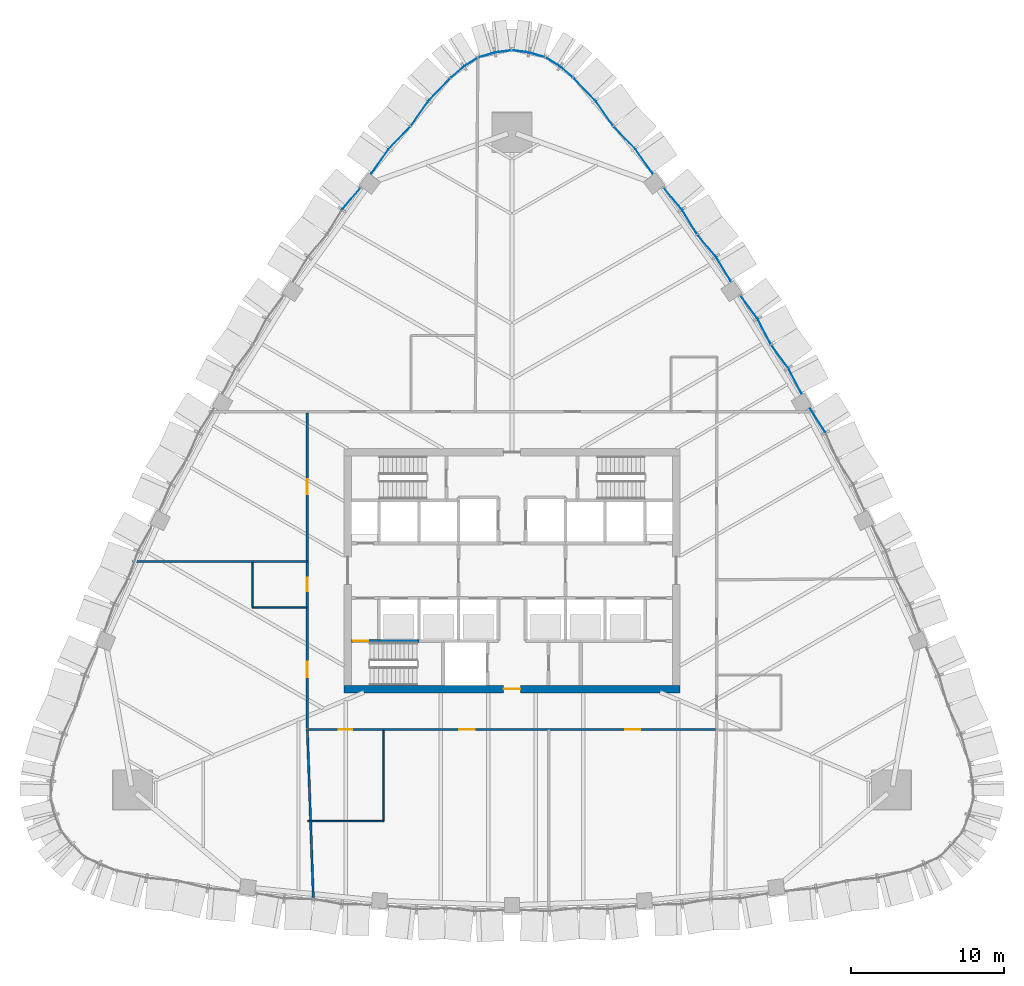
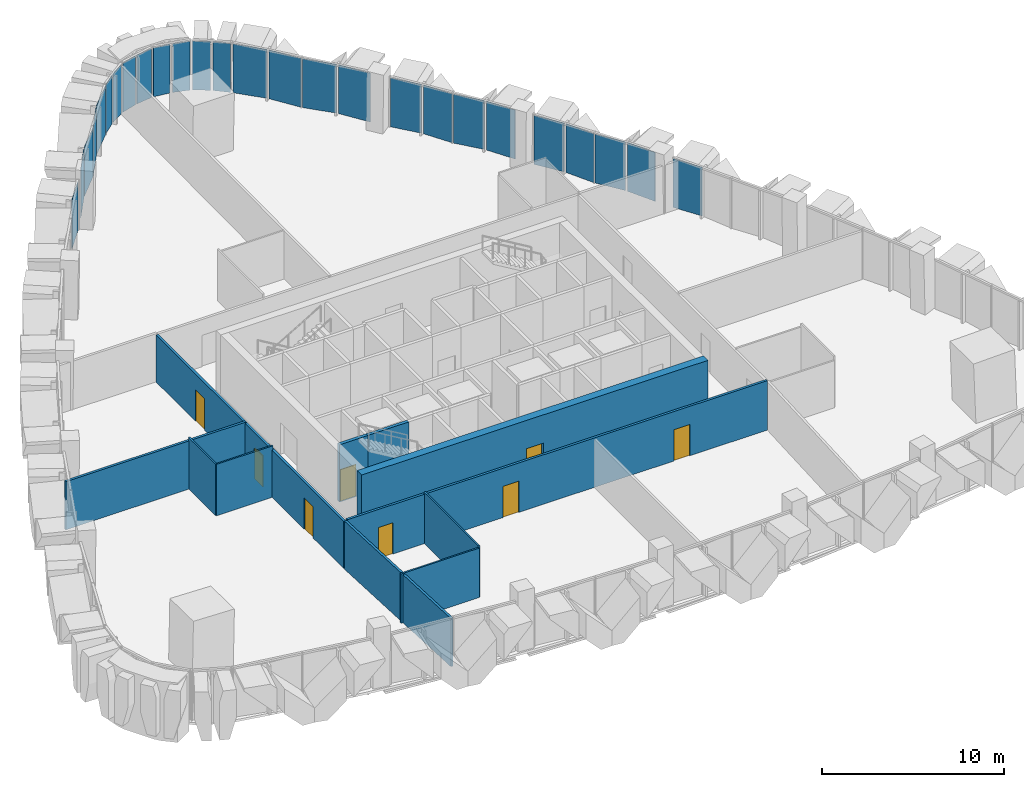
# One storey, part 11 of 18: 26 plates, 11 walls, 8 doors, 8 openings, 10 elements without a shape of their own.
"""IFC4 building model written with IfcOpenShell, lengths in metres."""

from ifc_helpers import new_model, si_unit, direction, frame, frame_2d, origin, place, context, subcontext, project, spatial, polyline, rectangle, outline, extrude, material, layer, layer_set, type_object, element, fill, aggregate, save


model = new_model("IFC4")

# Units and contexts
model_context = context("Model", 3, precision=1e-05, world=origin(), true_north=direction((0.0, 1.0)))
body_context = subcontext(model_context, "Body", "Model", "MODEL_VIEW")
ifc_project = project(units=[si_unit("LENGTHUNIT", "METRE"), si_unit("AREAUNIT", "SQUARE_METRE"), si_unit("VOLUMEUNIT", "CUBIC_METRE"), si_unit("PLANEANGLEUNIT", "RADIAN"), si_unit("MASSUNIT", "GRAM", prefix="KILO")], contexts=[model_context])

# Site, building, storey
site_placement = place(None, origin())
site = spatial("IfcSite", under=ifc_project, at=site_placement, CompositionType="ELEMENT")
building_placement = place(site_placement, origin())
building = spatial("IfcBuilding", under=site, at=building_placement, Name="Sierra Prisma Convention Tower", CompositionType="ELEMENT")
storey_placement = place(building_placement, frame((0.0, 0.0, 133.800048828125)))
storey = spatial("IfcBuildingStorey", under=building, at=storey_placement, Name="L28", CompositionType="ELEMENT", Elevation=133.800048828125)

# Curtain wall, plate
ifc_material_1 = material(Name="Aluminium and glass curtain wall", Category="aluminium")
ifc_layer_1 = layer(ifc_material_1, 0.179931640625)
ifc_layer_set_1 = layer_set([ifc_layer_1], Name="CW-2 Faceted crystal curtain wall")
curtain_wall_type = type_object("IfcCurtainWallType", Name="CW-2 Faceted crystal curtain wall", PredefinedType="NOTDEFINED", material=ifc_layer_set_1)
curtain_wall_1_placement = place(storey_placement, origin())
curtain_wall_1 = element("IfcCurtainWall", 1, at=curtain_wall_1_placement, inside=storey, type_object=curtain_wall_type, Name="CW-2 NE3 L28", PredefinedType="NOTDEFINED")
ifc_material_2 = material(Name="Tinted glass bronze-grey IGU", Category="glass")
ifc_layer_2 = layer(ifc_material_2, 0.028076171875)
ifc_layer_set_2 = layer_set([ifc_layer_2], Name="CW-2 crystal pane")
plate_type = type_object("IfcPlateType", Name="CW-2 crystal pane", PredefinedType="CURTAIN_PANEL", material=ifc_layer_set_2)
plate_1_placement = place(storey_placement, frame((19.532470703125, 10.619140625, 0.0), z_axis=(0.84261640637, 0.538514244673, 0.0), x_axis=(0.538514244673, -0.84261640637, 0.0)))
plate_1 = element("IfcPlate", 2, at=plate_1_placement, type_object=plate_type, Name="CW-2 pane NE3.2.2", PredefinedType="CURTAIN_PANEL", context=body_context, shape_type="SweptSolid", body=[
    extrude(outline(polyline([(0.0, 0.0), (1.8111717684787345, 0.0), (1.8111717684787345, -3.280029296875), (0.0, -3.280029296875), (0.0, 0.0)])), origin(), (0.0, 0.0, -1.0), 0.028076171875),
])
aggregate(curtain_wall_1, [plate_1])

# Curtain wall, plates
curtain_wall_2_placement = place(storey_placement, origin())
curtain_wall_2 = element("IfcCurtainWall", 3, at=curtain_wall_2_placement, inside=storey, type_object=curtain_wall_type, Name="CW-2 NE4 L28", PredefinedType="NOTDEFINED")
plate_2_placement = place(storey_placement, frame((18.962646484375, 11.60595703125, 0.0), z_axis=(0.887697404698, 0.460427320749, 0.0), x_axis=(-0.460427320749, 0.887697404698, 0.0)))
plate_2 = element("IfcPlate", 4, at=plate_2_placement, type_object=plate_type, Name="CW-2 pane NE4.1.1", PredefinedType="CURTAIN_PANEL", context=body_context, shape_type="SweptSolid", body=[
    extrude(outline(polyline([(0.0, 0.0), (1.8113268640187614, 0.0), (1.8113268640187614, 3.280029296875), (0.0, 3.280029296875), (0.0, 0.0)])), origin(), (0.0, 0.0, -1.0), 0.028076171875),
])
plate_3_placement = place(storey_placement, frame((16.984619140625, 14.781494140625, 0.0), z_axis=(0.804666069924, 0.593727644559, 0.0), x_axis=(0.593727644559, -0.804666069924, 0.0)))
plate_3 = element("IfcPlate", 5, at=plate_3_placement, type_object=plate_type, Name="CW-2 pane NE4.1.2", PredefinedType="CURTAIN_PANEL", context=body_context, shape_type="SweptSolid", body=[
    extrude(outline(polyline([(0.0, 0.0), (1.8113346464176683, 0.0), (1.8113346464176683, -3.280029296875), (0.0, -3.280029296875), (0.0, 0.0)])), origin(), (0.0, 0.0, -1.0), 0.028076171875),
])
plate_4_placement = place(storey_placement, frame((16.94775390625, 14.8408203125, 0.0), z_axis=(0.88764231221, 0.460533522748, 0.0), x_axis=(-0.460533522748, 0.88764231221, 0.0)))
plate_4 = element("IfcPlate", 6, at=plate_4_placement, type_object=plate_type, Name="CW-2 pane NE4.2.1", PredefinedType="CURTAIN_PANEL", context=body_context, shape_type="SweptSolid", body=[
    extrude(outline(polyline([(0.0, 0.0), (1.8114392859971296, 0.0), (1.8114392859971296, 3.280029296875001), (0.0, 3.280029296875001), (0.0, 0.0)])), origin(), (0.0, 0.0, -1.0), 0.028076171875),
])
plate_5_placement = place(storey_placement, frame((14.9697265625, 18.016357421875, 0.0), z_axis=(0.804666069924, 0.593727644559, 0.0), x_axis=(0.593727644559, -0.804666069924, 0.0)))
plate_5 = element("IfcPlate", 7, at=plate_5_placement, type_object=plate_type, Name="CW-2 pane NE4.2.2", PredefinedType="CURTAIN_PANEL", context=body_context, shape_type="SweptSolid", body=[
    extrude(outline(polyline([(0.0, 0.0), (1.8113346464176683, 0.0), (1.8113346464176683, -3.280029296875), (0.0, -3.280029296875), (0.0, 0.0)])), origin(), (0.0, 0.0, -1.0), 0.028076171875),
])
aggregate(curtain_wall_2, [plate_2, plate_3, plate_4, plate_5])

curtain_wall_3_placement = place(storey_placement, origin())
curtain_wall_3 = element("IfcCurtainWall", 8, at=curtain_wall_3_placement, inside=storey, type_object=curtain_wall_type, Name="CW-2 NE5 L28", PredefinedType="NOTDEFINED")
plate_6_placement = place(storey_placement, frame((14.32861328125, 18.973388671875, 0.0), z_axis=(0.854853994097, 0.518868623812, 0.0), x_axis=(-0.518868623812, 0.854853994097, 0.0)))
plate_6 = element("IfcPlate", 9, at=plate_6_placement, type_object=plate_type, Name="CW-2 pane NE5.1.1", PredefinedType="CURTAIN_PANEL", context=body_context, shape_type="SweptSolid", body=[
    extrude(outline(polyline([(0.0, 0.0), (1.8035220722151823, 0.0), (1.8035220722151823, 3.280029296874999), (0.0, 3.280029296874999), (0.0, 0.0)])), origin(), (0.0, 0.0, -1.0), 0.028076171875),
])
plate_7_placement = place(storey_placement, frame((12.151611328125, 21.996826171875, 0.0), z_axis=(0.763160327317, 0.646209188119, 0.0), x_axis=(0.646209188119, -0.763160327317, 0.0)))
plate_7 = element("IfcPlate", 10, at=plate_7_placement, type_object=plate_type, Name="CW-2 pane NE5.1.2", PredefinedType="CURTAIN_PANEL", context=body_context, shape_type="SweptSolid", body=[
    extrude(outline(polyline([(0.0, 0.0), (1.8036378392317685, 0.0), (1.8036378392317685, -3.280029296875), (0.0, -3.280029296875), (0.0, 0.0)])), origin(), (0.0, 0.0, -1.0), 0.028076171875),
])
plate_8_placement = place(storey_placement, frame((12.11083984375, 22.0537109375, 0.0), z_axis=(0.85483039845, 0.518907496463, 0.0), x_axis=(-0.518907496463, 0.85483039845, 0.0)))
plate_8 = element("IfcPlate", 11, at=plate_8_placement, type_object=plate_type, Name="CW-2 pane NE5.2.1", PredefinedType="CURTAIN_PANEL", context=body_context, shape_type="SweptSolid", body=[
    extrude(outline(polyline([(0.0, 0.0), (1.8038574555787377, 0.0), (1.8038574555787377, 3.280029296875001), (0.0, 3.280029296875001), (0.0, 0.0)])), origin(), (0.0, 0.0, -1.0), 0.028076171875),
])
plate_9_placement = place(storey_placement, frame((9.93359375, 25.077392578125, 0.0), z_axis=(0.763160327317, 0.646209188119, 0.0), x_axis=(0.646209188119, -0.763160327317, 0.0)))
plate_9 = element("IfcPlate", 12, at=plate_9_placement, type_object=plate_type, Name="CW-2 pane NE5.2.2", PredefinedType="CURTAIN_PANEL", context=body_context, shape_type="SweptSolid", body=[
    extrude(outline(polyline([(0.0, 0.0), (1.8036378392317685, 0.0), (1.8036378392317685, -3.280029296875), (0.0, -3.280029296875), (0.0, 0.0)])), origin(), (0.0, 0.0, -1.0), 0.028076171875),
])
aggregate(curtain_wall_3, [plate_6, plate_7, plate_8, plate_9])

curtain_wall_4_placement = place(storey_placement, origin())
curtain_wall_4 = element("IfcCurtainWall", 13, at=curtain_wall_4_placement, inside=storey, type_object=curtain_wall_type, Name="CW-2 NE6 L28", PredefinedType="NOTDEFINED")
plate_10_placement = place(storey_placement, frame((9.212158203125, 26.01416015625, 0.0), z_axis=(0.818207698145, 0.574922744981, 0.0), x_axis=(-0.574922744981, 0.818207698145, 0.0)))
plate_10 = element("IfcPlate", 14, at=plate_10_placement, type_object=plate_type, Name="CW-2 pane NE6.1.1", PredefinedType="CURTAIN_PANEL", context=body_context, shape_type="SweptSolid", body=[
    extrude(outline(polyline([(0.0, 0.0), (1.93979866814281, 0.0), (1.93979866814281, 3.280029296875), (0.0, 3.280029296875), (0.0, 0.0)])), origin(), (0.0, 0.0, -1.0), 0.028076171875),
])
plate_11_placement = place(storey_placement, frame((6.66455078125, 29.094482421875, 0.0), z_axis=(0.718218603092, 0.69581753224, 0.0), x_axis=(0.69581753224, -0.718218603092, 0.0)))
plate_11 = element("IfcPlate", 15, at=plate_11_placement, type_object=plate_type, Name="CW-2 pane NE6.1.2", PredefinedType="CURTAIN_PANEL", context=body_context, shape_type="SweptSolid", body=[
    extrude(outline(polyline([(0.0, 0.0), (1.9399532967776012, 0.0), (1.9399532967776012, -3.280029296875), (0.0, -3.280029296875), (0.0, 0.0)])), origin(), (0.0, 0.0, -1.0), 0.028076171875),
])
plate_12_placement = place(storey_placement, frame((6.619873046875, 29.1484375, 0.0), z_axis=(0.818249292586, 0.574863544837, 0.0), x_axis=(-0.574863544837, 0.818249292586, 0.0)))
plate_12 = element("IfcPlate", 16, at=plate_12_placement, type_object=plate_type, Name="CW-2 pane NE6.2.1", PredefinedType="CURTAIN_PANEL", context=body_context, shape_type="SweptSolid", body=[
    extrude(outline(polyline([(0.0, 0.0), (1.9399984309593226, 0.0), (1.9399984309593226, 3.280029296875), (0.0, 3.280029296875), (0.0, 0.0)])), origin(), (0.0, 0.0, -1.0), 0.028076171875),
])
plate_13_placement = place(storey_placement, frame((4.072265625, 32.22900390625, 0.0), z_axis=(0.718218603092, 0.69581753224, 0.0), x_axis=(0.69581753224, -0.718218603092, 0.0)))
plate_13 = element("IfcPlate", 17, at=plate_13_placement, type_object=plate_type, Name="CW-2 pane NE6.2.2", PredefinedType="CURTAIN_PANEL", context=body_context, shape_type="SweptSolid", body=[
    extrude(outline(polyline([(0.0, 0.0), (1.9399532967776012, 0.0), (1.9399532967776012, -3.280029296875), (0.0, -3.280029296875), (0.0, 0.0)])), origin(), (0.0, 0.0, -1.0), 0.028076171875),
])
aggregate(curtain_wall_4, [plate_10, plate_11, plate_12, plate_13])

curtain_wall_5_placement = place(storey_placement, origin())
curtain_wall_5 = element("IfcCurtainWall", 18, at=curtain_wall_5_placement, inside=storey, type_object=curtain_wall_type, Name="CW-2 N1 L28", PredefinedType="NOTDEFINED")
plate_14_placement = place(storey_placement, frame((3.97119140625, 32.324462890625, 0.0), z_axis=(0.65437136263, 0.756173339764, 0.0), x_axis=(-0.756173339764, 0.65437136263, 0.0)))
plate_14 = element("IfcPlate", 19, at=plate_14_placement, type_object=plate_type, Name="CW-2 pane N1.1.1", PredefinedType="CURTAIN_PANEL", context=body_context, shape_type="SweptSolid", body=[
    extrude(outline(polyline([(0.0, 0.0), (0.9976476180525409, 0.0), (0.9976476180525409, 3.280029296875), (0.0, 3.280029296875), (0.0, 0.0)])), origin(), (0.0, 0.0, -1.0), 0.028076171875),
])
plate_15_placement = place(storey_placement, frame((2.264892578125, 33.580810546875, 0.0), z_axis=(0.527996124926, 0.849246779248, 0.0), x_axis=(0.849246779248, -0.527996124926, 0.0)))
plate_15 = element("IfcPlate", 20, at=plate_15_placement, type_object=plate_type, Name="CW-2 pane N1.1.2", PredefinedType="CURTAIN_PANEL", context=body_context, shape_type="SweptSolid", body=[
    extrude(outline(polyline([(0.0, 0.0), (0.9978396504785573, 0.0), (0.9978396504785573, -3.280029296875), (0.0, -3.280029296875), (0.0, 0.0)])), origin(), (0.0, 0.0, -1.0), 0.028076171875),
])
aggregate(curtain_wall_5, [plate_14, plate_15])

curtain_wall_6_placement = place(storey_placement, origin())
curtain_wall_6 = element("IfcCurtainWall", 21, at=curtain_wall_6_placement, inside=storey, type_object=curtain_wall_type, Name="CW-2 N2 L28", PredefinedType="NOTDEFINED")
plate_16_placement = place(storey_placement, frame((2.14013671875, 33.636962890625, 0.0), z_axis=(0.286045586344, 0.958216010372, 0.0), x_axis=(-0.958216010372, 0.286045586344, 0.0)))
plate_16 = element("IfcPlate", 22, at=plate_16_placement, type_object=plate_type, Name="CW-2 pane N2.1.1", PredefinedType="CURTAIN_PANEL", context=body_context, shape_type="SweptSolid", body=[
    extrude(outline(polyline([(0.0, 0.0), (0.9977444304327765, 0.0), (0.9977444304327765, 3.280029296875), (0.0, 3.280029296875), (0.0, 0.0)])), origin(), (0.0, 0.0, -1.0), 0.028076171875),
])
plate_17_placement = place(storey_placement, frame((0.068359375, 34.08203125, 0.0), z_axis=(0.132612450721, 0.991167966549, 0.0), x_axis=(0.991167966549, -0.132612450721, 0.0)))
plate_17 = element("IfcPlate", 23, at=plate_17_placement, type_object=plate_type, Name="CW-2 pane N2.1.2", PredefinedType="CURTAIN_PANEL", context=body_context, shape_type="SweptSolid", body=[
    extrude(outline(polyline([(0.0, 0.0), (0.9978265089801273, 0.0), (0.9978265089801273, -3.280029296875), (0.0, -3.280029296875), (0.0, 0.0)])), origin(), (0.0, 0.0, -1.0), 0.028076171875),
])
aggregate(curtain_wall_6, [plate_16, plate_17])

curtain_wall_7_placement = place(storey_placement, origin())
curtain_wall_7 = element("IfcCurtainWall", 24, at=curtain_wall_7_placement, inside=storey, type_object=curtain_wall_type, Name="CW-2 N3 L28", PredefinedType="NOTDEFINED")
plate_18_placement = place(storey_placement, frame((-0.068359375, 34.08203125, 0.0), z_axis=(-0.132612450721, 0.991167966549, 0.0), x_axis=(-0.991167966549, -0.132612450721, 0.0)))
plate_18 = element("IfcPlate", 25, at=plate_18_placement, type_object=plate_type, Name="CW-2 pane N3.1.1", PredefinedType="CURTAIN_PANEL", context=body_context, shape_type="SweptSolid", body=[
    extrude(outline(polyline([(0.0, 0.0), (0.9978265089801273, 0.0), (0.9978265089801273, 3.280029296875), (0.0, 3.280029296875), (0.0, 0.0)])), origin(), (0.0, 0.0, -1.0), 0.028076171875),
])
plate_19_placement = place(storey_placement, frame((-2.14013671875, 33.636962890625, 0.0), z_axis=(-0.286045586344, 0.958216010372, 0.0), x_axis=(0.958216010372, 0.286045586344, 0.0)))
plate_19 = element("IfcPlate", 26, at=plate_19_placement, type_object=plate_type, Name="CW-2 pane N3.1.2", PredefinedType="CURTAIN_PANEL", context=body_context, shape_type="SweptSolid", body=[
    extrude(outline(polyline([(0.0, 0.0), (0.9977444304327765, 0.0), (0.9977444304327765, -3.280029296875), (0.0, -3.280029296875), (0.0, 0.0)])), origin(), (0.0, 0.0, -1.0), 0.028076171875),
])
aggregate(curtain_wall_7, [plate_18, plate_19])

curtain_wall_8_placement = place(storey_placement, origin())
curtain_wall_8 = element("IfcCurtainWall", 27, at=curtain_wall_8_placement, inside=storey, type_object=curtain_wall_type, Name="CW-2 N4 L28", PredefinedType="NOTDEFINED")
plate_20_placement = place(storey_placement, frame((-2.264892578125, 33.580810546875, 0.0), z_axis=(-0.527996124926, 0.849246779248, 0.0), x_axis=(-0.849246779248, -0.527996124926, 0.0)))
plate_20 = element("IfcPlate", 28, at=plate_20_placement, type_object=plate_type, Name="CW-2 pane N4.1.1", PredefinedType="CURTAIN_PANEL", context=body_context, shape_type="SweptSolid", body=[
    extrude(outline(polyline([(0.0, 0.0), (0.9978396504785573, 0.0), (0.9978396504785573, 3.280029296875), (0.0, 3.280029296875), (0.0, 0.0)])), origin(), (0.0, 0.0, -1.0), 0.028076171875),
])
plate_21_placement = place(storey_placement, frame((-3.97119140625, 32.324462890625, 0.0), z_axis=(-0.65437136263, 0.756173339764, 0.0), x_axis=(0.756173339764, 0.65437136263, 0.0)))
plate_21 = element("IfcPlate", 29, at=plate_21_placement, type_object=plate_type, Name="CW-2 pane N4.1.2", PredefinedType="CURTAIN_PANEL", context=body_context, shape_type="SweptSolid", body=[
    extrude(outline(polyline([(0.0, 0.0), (0.9976476180525409, 0.0), (0.9976476180525409, -3.280029296875), (0.0, -3.280029296875), (0.0, 0.0)])), origin(), (0.0, 0.0, -1.0), 0.028076171875),
])
aggregate(curtain_wall_8, [plate_20, plate_21])

curtain_wall_9_placement = place(storey_placement, origin())
curtain_wall_9 = element("IfcCurtainWall", 30, at=curtain_wall_9_placement, inside=storey, type_object=curtain_wall_type, Name="CW-2 NW1 L28", PredefinedType="NOTDEFINED")
plate_22_placement = place(storey_placement, frame((-4.072265625, 32.22900390625, 0.0), z_axis=(-0.718218603092, 0.69581753224, 0.0), x_axis=(-0.69581753224, -0.718218603092, 0.0)))
plate_22 = element("IfcPlate", 31, at=plate_22_placement, type_object=plate_type, Name="CW-2 pane NW1.1.1", PredefinedType="CURTAIN_PANEL", context=body_context, shape_type="SweptSolid", body=[
    extrude(outline(polyline([(0.0, 0.0), (1.9399532967776012, 0.0), (1.9399532967776012, 3.280029296875), (0.0, 3.280029296875), (0.0, 0.0)])), origin(), (0.0, 0.0, -1.0), 0.028076171875),
])
plate_23_placement = place(storey_placement, frame((-6.619873046875, 29.1484375, 0.0), z_axis=(-0.818249292586, 0.574863544837, 0.0), x_axis=(0.574863544837, 0.818249292586, 0.0)))
plate_23 = element("IfcPlate", 32, at=plate_23_placement, type_object=plate_type, Name="CW-2 pane NW1.1.2", PredefinedType="CURTAIN_PANEL", context=body_context, shape_type="SweptSolid", body=[
    extrude(outline(polyline([(0.0, 0.0), (1.9399984309593226, 0.0), (1.9399984309593226, -3.280029296875), (0.0, -3.280029296875), (0.0, 0.0)])), origin(), (0.0, 0.0, -1.0), 0.028076171875),
])
plate_24_placement = place(storey_placement, frame((-6.66455078125, 29.094482421875, 0.0), z_axis=(-0.718218603092, 0.69581753224, 0.0), x_axis=(-0.69581753224, -0.718218603092, 0.0)))
plate_24 = element("IfcPlate", 33, at=plate_24_placement, type_object=plate_type, Name="CW-2 pane NW1.2.1", PredefinedType="CURTAIN_PANEL", context=body_context, shape_type="SweptSolid", body=[
    extrude(outline(polyline([(0.0, 0.0), (1.9399532967776012, 0.0), (1.9399532967776012, 3.280029296875), (0.0, 3.280029296875), (0.0, 0.0)])), origin(), (0.0, 0.0, -1.0), 0.028076171875),
])
plate_25_placement = place(storey_placement, frame((-9.212158203125, 26.01416015625, 0.0), z_axis=(-0.818207698145, 0.574922744981, 0.0), x_axis=(0.574922744981, 0.818207698145, 0.0)))
plate_25 = element("IfcPlate", 34, at=plate_25_placement, type_object=plate_type, Name="CW-2 pane NW1.2.2", PredefinedType="CURTAIN_PANEL", context=body_context, shape_type="SweptSolid", body=[
    extrude(outline(polyline([(0.0, 0.0), (1.93979866814281, 0.0), (1.93979866814281, -3.280029296875), (0.0, -3.280029296875), (0.0, 0.0)])), origin(), (0.0, 0.0, -1.0), 0.028076171875),
])
aggregate(curtain_wall_9, [plate_22, plate_23, plate_24, plate_25])

# Curtain wall, plate
curtain_wall_10_placement = place(storey_placement, origin())
curtain_wall_10 = element("IfcCurtainWall", 35, at=curtain_wall_10_placement, inside=storey, type_object=curtain_wall_type, Name="CW-2 NW2 L28", PredefinedType="NOTDEFINED")
plate_26_placement = place(storey_placement, frame((-9.934814453125, 25.075927734375, 0.0), z_axis=(-0.76323732751, 0.646118241419, 0.0), x_axis=(-0.646118241419, -0.76323732751, 0.0)))
plate_26 = element("IfcPlate", 36, at=plate_26_placement, type_object=plate_type, Name="CW-2 pane NW2.1.1", PredefinedType="CURTAIN_PANEL", context=body_context, shape_type="SweptSolid", body=[
    extrude(outline(polyline([(0.0, 0.0), (1.8031360017649107, 0.0), (1.8031360017649107, 3.280029296875), (0.0, 3.280029296875), (0.0, 0.0)])), origin(), (0.0, 0.0, -1.0), 0.028076171875),
])
aggregate(curtain_wall_10, [plate_26])

# Walls
ifc_material_3 = material(Name="Gypsum board partition", Category="gypsum")
ifc_layer_3 = layer(ifc_material_3, 0.10009765625)
ifc_layer_set_3 = layer_set([ifc_layer_3], Name="Bathroom partition 100")
wall_type_1 = type_object("IfcWallType", Name="Bathroom partition 100", PredefinedType="PARTITIONING", material=ifc_layer_set_3)
wall_1_placement = place(storey_placement, frame((-13.429931640625, -2.39990234375, 0.0), z_axis=(0.0, 0.0, 1.0), x_axis=(-1.0, 0.0, 0.0)))
element("IfcWall", 37, at=wall_1_placement, inside=storey, type_object=wall_type_1, Name="Partition L28 bath 1", PredefinedType="PARTITIONING", context=body_context, shape_type="SweptSolid", body=[
    extrude(rectangle(XDim=3.570068359375, YDim=0.10009765625, at=frame_2d((1.78515625, 0.0))), origin(), (0.0, 0.0, 1.0), 3.449951171875),
])
wall_2_placement = place(storey_placement, frame((-17.0, -2.39990234375, 0.0), z_axis=(0.0, 0.0, 1.0), x_axis=(0.0, 1.0, 0.0)))
element("IfcWall", 38, at=wall_2_placement, inside=storey, type_object=wall_type_1, Name="Partition L28 bath 2", PredefinedType="PARTITIONING", context=body_context, shape_type="SweptSolid", body=[
    extrude(rectangle(XDim=2.969970703125, YDim=0.10009765625, at=frame_2d((1.48486328125, 0.0))), origin(), (0.0, 0.0, 1.0), 3.449951171875),
])
wall_3_placement = place(storey_placement, frame((-8.39990234375, -10.429931640625, 0.0), z_axis=(0.0, 0.0, 1.0), x_axis=(0.0, -1.0, 0.0)))
element("IfcWall", 39, at=wall_3_placement, inside=storey, type_object=wall_type_1, Name="Partition L28 bath 3", PredefinedType="PARTITIONING", context=body_context, shape_type="SweptSolid", body=[
    extrude(rectangle(XDim=5.969970703125, YDim=0.10009765625, at=frame_2d((2.98486328125, 0.0))), origin(), (0.0, 0.0, 1.0), 3.449951171875),
])
wall_4_placement = place(storey_placement, frame((-8.39990234375, -16.39990234375, 0.0), z_axis=(0.0, 0.0, 1.0), x_axis=(-1.0, 0.0, 0.0)))
element("IfcWall", 40, at=wall_4_placement, inside=storey, type_object=wall_type_1, Name="Partition L28 bath 4", PredefinedType="PARTITIONING", context=body_context, shape_type="SweptSolid", body=[
    extrude(rectangle(XDim=4.97021484375, YDim=0.10009765625, at=frame_2d((2.485107421875, 0.0))), origin(), (0.0, 0.0, 1.0), 3.31689453125),
])

# Wall, opening, door
ifc_material_4 = material(Name="Concrete C30/37", Category="concrete")
ifc_layer_4 = layer(ifc_material_4, 0.199951171875)
ifc_layer_set_4 = layer_set([ifc_layer_4], Name="Core wall RC 200 C30/37")
wall_type_2 = type_object("IfcWallType", Name="Core wall RC 200 C30/37", PredefinedType="SOLIDWALL", material=ifc_layer_set_4)
wall_5_placement = place(storey_placement, frame((-10.5, -4.60009765625, 0.0), z_axis=(0.0, 0.0, 1.0), x_axis=(1.0, 0.0, 0.0)))
wall_5 = element("IfcWall", 41, at=wall_5_placement, inside=storey, type_object=wall_type_2, Name="Core wall L28 1", PredefinedType="SOLIDWALL", context=body_context, shape_type="SweptSolid", body=[
    extrude(rectangle(XDim=1.800048828125, YDim=0.199951171875, at=frame_2d((0.89990234375, 0.0))), origin(), (0.0, 0.0, 1.0), 3.849853515625),
])
opening_1_placement = place(wall_5_placement, frame((0.10009765625, 0.0, 0.0)))
opening_1 = element("IfcOpeningElement", 42, at=opening_1_placement, cuts=wall_5, Name="Opening L28-D017", PredefinedType="OPENING", context=body_context, shape_type="SweptSolid", body=[
    extrude(rectangle(XDim=1.0, YDim=2.10009765625, at=frame_2d((0.5, 1.050048828125))), frame((0.0, 0.10009765625, 0.0), z_axis=(0.0, -1.0, 0.0), x_axis=(1.0, 0.0, 0.0)), (0.0, 0.0, 1.0), 0.199951171875),
])
ifc_material_5 = material(Name="Steel fire door leaf", Category="steel")
door_type_1 = type_object("IfcDoorType", Name="Door 1000x2100 FD90S", OperationType="SINGLE_SWING_LEFT", PredefinedType="DOOR", material=ifc_material_5)
door_1_placement = place(opening_1_placement, origin())
door_1 = element("IfcDoor", 43, at=door_1_placement, inside=storey, type_object=door_type_1, Name="Door L28 30", OperationType="SINGLE_SWING_LEFT", OverallHeight=2.10009765625, OverallWidth=1.0, PredefinedType="DOOR", context=body_context, shape_type="SweptSolid", body=[
    extrude(rectangle(XDim=1.0, YDim=2.10009765625, at=frame_2d((0.5, 1.050048828125))), frame((0.0, 0.02490234375, 0.0), z_axis=(0.0, -1.0, 0.0), x_axis=(1.0, 0.0, 0.0)), (0.0, 0.0, 1.0), 0.050048828125),
])
fill(opening_1, door_1)

# Wall
wall_6_placement = place(storey_placement, frame((-8.699951171875, -4.60009765625, 0.0), z_axis=(0.0, 0.0, 1.0), x_axis=(1.0, 0.0, 0.0)))
element("IfcWall", 44, at=wall_6_placement, inside=storey, type_object=wall_type_2, Name="Core wall L28 5", PredefinedType="SOLIDWALL", context=body_context, shape_type="SweptSolid", body=[
    extrude(rectangle(XDim=2.599853515625, YDim=0.199951171875, at=frame_2d((1.2998046875, 0.0))), origin(), (0.0, 0.0, 1.0), 3.849853515625),
])

# Wall, opening, door
ifc_material_6 = material(Name="Concrete C60/75", Category="concrete")
ifc_layer_5 = layer(ifc_material_6, 0.5)
ifc_layer_set_5 = layer_set([ifc_layer_5], Name="Core wall RC 500 C60/75")
wall_type_3 = type_object("IfcWallType", Name="Core wall RC 500 C60/75", PredefinedType="SHEAR", material=ifc_layer_set_5)
wall_7_placement = place(storey_placement, frame((-11.0, -7.75, 0.0), z_axis=(0.0, 0.0, 1.0), x_axis=(1.0, 0.0, 0.0)))
wall_7 = element("IfcWall", 45, at=wall_7_placement, inside=storey, type_object=wall_type_3, Name="Core wall S L28", PredefinedType="SHEAR", context=body_context, shape_type="SweptSolid", body=[
    extrude(rectangle(XDim=22.0, YDim=0.5, at=frame_2d((11.0, 0.0))), origin(), (0.0, 0.0, 1.0), 4.0),
])
opening_2_placement = place(wall_7_placement, frame((10.449951171875, 0.0, 0.0)))
opening_2 = element("IfcOpeningElement", 46, at=opening_2_placement, cuts=wall_7, Name="Opening L28-D038", PredefinedType="OPENING", context=body_context, shape_type="SweptSolid", body=[
    extrude(rectangle(XDim=1.10009765625, YDim=2.10009765625, at=frame_2d((0.550048828125, 1.050048828125))), frame((0.0, 0.25, 0.0), z_axis=(0.0, -1.0, 0.0), x_axis=(1.0, 0.0, 0.0)), (0.0, 0.0, 1.0), 0.5),
])
ifc_material_7 = material(Name="Steel fire door leaf", Category="steel")
door_type_2 = type_object("IfcDoorType", Name="Door 1100x2100 FD30S", OperationType="SINGLE_SWING_LEFT", PredefinedType="DOOR", material=ifc_material_7)
door_2_placement = place(opening_2_placement, origin())
door_2 = element("IfcDoor", 47, at=door_2_placement, inside=storey, type_object=door_type_2, Name="Door L28 39", OperationType="SINGLE_SWING_RIGHT", OverallHeight=2.10009765625, OverallWidth=1.10009765625, PredefinedType="DOOR", context=body_context, shape_type="SweptSolid", body=[
    extrude(rectangle(XDim=1.10009765625, YDim=2.10009765625, at=frame_2d((0.550048828125, 1.050048828125))), frame((0.0, 0.02490234375, 0.0), z_axis=(0.0, -1.0, 0.0), x_axis=(1.0, 0.0, 0.0)), (0.0, 0.0, 1.0), 0.050048828125),
])
fill(opening_2, door_2)

# Wall, openings, doors
ifc_material_8 = material(Name="Gypsum board partition", Category="gypsum")
ifc_layer_6 = layer(ifc_material_8, 0.14990234375)
ifc_layer_set_6 = layer_set([ifc_layer_6], Name="Corridor wall 150 gypsum EI 60")
wall_type_4 = type_object("IfcWallType", Name="Corridor wall 150 gypsum EI 60", PredefinedType="PARTITIONING", material=ifc_layer_set_6)
wall_8_placement = place(storey_placement, frame((-13.39990234375, 10.320068359375, 0.0), z_axis=(0.0, 0.0, 1.0), x_axis=(0.0, -1.0, 0.0)))
wall_8 = element("IfcWall", 48, at=wall_8_placement, inside=storey, type_object=wall_type_4, Name="Partition L28 corr 1", PredefinedType="PARTITIONING", context=body_context, shape_type="SweptSolid", body=[
    extrude(rectangle(XDim=20.64013671875, YDim=0.14990234375, at=frame_2d((10.320068359375, 0.0))), origin(), (0.0, 0.0, 1.0), 3.166015625),
])
opening_3_placement = place(wall_8_placement, frame((4.320068359375, 0.0, 0.0)))
opening_3 = element("IfcOpeningElement", 49, at=opening_3_placement, cuts=wall_8, Name="Opening L28-D028", PredefinedType="OPENING", context=body_context, shape_type="SweptSolid", body=[
    extrude(rectangle(XDim=1.0, YDim=2.10009765625, at=frame_2d((0.5, 1.050048828125))), frame((0.0, 0.074951171875, 0.0), z_axis=(0.0, -1.0, 0.0), x_axis=(1.0, 0.0, 0.0)), (0.0, 0.0, 1.0), 0.14990234375),
])
opening_4_placement = place(wall_8_placement, frame((10.77001953125, 0.0, 0.0)))
opening_4 = element("IfcOpeningElement", 50, at=opening_4_placement, cuts=wall_8, Name="Opening L28-D029", PredefinedType="OPENING", context=body_context, shape_type="SweptSolid", body=[
    extrude(rectangle(XDim=0.89990234375, YDim=2.10009765625, at=frame_2d((0.449951171875, 1.050048828125))), frame((0.0, 0.074951171875, 0.0), z_axis=(0.0, -1.0, 0.0), x_axis=(1.0, 0.0, 0.0)), (0.0, 0.0, 1.0), 0.14990234375),
])
opening_5_placement = place(wall_8_placement, frame((16.280029296875, 0.0, 0.0)))
opening_5 = element("IfcOpeningElement", 51, at=opening_5_placement, cuts=wall_8, Name="Opening L28-D030", PredefinedType="OPENING", context=body_context, shape_type="SweptSolid", body=[
    extrude(rectangle(XDim=1.0, YDim=2.10009765625, at=frame_2d((0.5, 1.050048828125))), frame((0.0, 0.074951171875, 0.0), z_axis=(0.0, -1.0, 0.0), x_axis=(1.0, 0.0, 0.0)), (0.0, 0.0, 1.0), 0.14990234375),
])
ifc_material_9 = material(Name="Steel fire door leaf", Category="steel")
door_type_3 = type_object("IfcDoorType", Name="Door 1000x2100 FD30S", OperationType="SINGLE_SWING_LEFT", PredefinedType="DOOR", material=ifc_material_9)
door_3_placement = place(opening_3_placement, origin())
door_3 = element("IfcDoor", 52, at=door_3_placement, inside=storey, type_object=door_type_3, Name="Door L28 6", OperationType="SINGLE_SWING_RIGHT", OverallHeight=2.10009765625, OverallWidth=1.0, PredefinedType="DOOR", context=body_context, shape_type="SweptSolid", body=[
    extrude(rectangle(XDim=1.0, YDim=2.10009765625, at=frame_2d((0.5, 1.050048828125))), frame((0.0, 0.02490234375, 0.0), z_axis=(0.0, -1.0, 0.0), x_axis=(1.0, 0.0, 0.0)), (0.0, 0.0, 1.0), 0.050048828125),
])
fill(opening_3, door_3)
door_4_placement = place(opening_5_placement, origin())
door_4 = element("IfcDoor", 53, at=door_4_placement, inside=storey, type_object=door_type_3, Name="Door L28 8", OperationType="SINGLE_SWING_RIGHT", OverallHeight=2.10009765625, OverallWidth=1.0, PredefinedType="DOOR", context=body_context, shape_type="SweptSolid", body=[
    extrude(rectangle(XDim=1.0, YDim=2.10009765625, at=frame_2d((0.5, 1.050048828125))), frame((0.0, 0.02490234375, 0.0), z_axis=(0.0, -1.0, 0.0), x_axis=(1.0, 0.0, 0.0)), (0.0, 0.0, 1.0), 0.050048828125),
])
fill(opening_5, door_4)
ifc_material_10 = material(Name="Steel fire door leaf", Category="steel")
door_type_4 = type_object("IfcDoorType", Name="Door 900x2100 FD30S", OperationType="SINGLE_SWING_LEFT", PredefinedType="DOOR", material=ifc_material_10)
door_5_placement = place(opening_4_placement, origin())
door_5 = element("IfcDoor", 54, at=door_5_placement, inside=storey, type_object=door_type_4, Name="Door L28 7", OperationType="SINGLE_SWING_LEFT", OverallHeight=2.10009765625, OverallWidth=0.89990234375, PredefinedType="DOOR", context=body_context, shape_type="SweptSolid", body=[
    extrude(rectangle(XDim=0.89990234375, YDim=2.10009765625, at=frame_2d((0.449951171875, 1.050048828125))), frame((0.0, 0.02490234375, 0.0), z_axis=(0.0, -1.0, 0.0), x_axis=(1.0, 0.0, 0.0)), (0.0, 0.0, 1.0), 0.050048828125),
])
fill(opening_4, door_5)

wall_9_placement = place(storey_placement, frame((-13.320068359375, -10.39990234375, 0.0), z_axis=(0.0, 0.0, 1.0), x_axis=(1.0, 0.0, 0.0)))
wall_9 = element("IfcWall", 55, at=wall_9_placement, inside=storey, type_object=wall_type_4, Name="Partition L28 corr 2", PredefinedType="PARTITIONING", context=body_context, shape_type="SweptSolid", body=[
    extrude(rectangle(XDim=26.64013671875, YDim=0.14990234375, at=frame_2d((13.320068359375, 0.0))), origin(), (0.0, 0.0, 1.0), 3.31689453125),
])
opening_6_placement = place(wall_9_placement, frame((1.969970703125, 0.0, 0.0)))
opening_6 = element("IfcOpeningElement", 56, at=opening_6_placement, cuts=wall_9, Name="Opening L28-D031", PredefinedType="OPENING", context=body_context, shape_type="SweptSolid", body=[
    extrude(rectangle(XDim=0.89990234375, YDim=2.10009765625, at=frame_2d((0.449951171875, 1.050048828125))), frame((0.0, 0.074951171875, 0.0), z_axis=(0.0, -1.0, 0.0), x_axis=(1.0, 0.0, 0.0)), (0.0, 0.0, 1.0), 0.14990234375),
])
opening_7_placement = place(wall_9_placement, frame((9.8701171875, 0.0, 0.0)))
opening_7 = element("IfcOpeningElement", 57, at=opening_7_placement, cuts=wall_9, Name="Opening L28-D032", PredefinedType="OPENING", context=body_context, shape_type="SweptSolid", body=[
    extrude(rectangle(XDim=1.0, YDim=2.10009765625, at=frame_2d((0.5, 1.050048828125))), frame((0.0, 0.074951171875, 0.0), z_axis=(0.0, -1.0, 0.0), x_axis=(1.0, 0.0, 0.0)), (0.0, 0.0, 1.0), 0.14990234375),
])
opening_8_placement = place(wall_9_placement, frame((20.719970703125, 0.0, 0.0)))
opening_8 = element("IfcOpeningElement", 58, at=opening_8_placement, cuts=wall_9, Name="Opening L28-D033", PredefinedType="OPENING", context=body_context, shape_type="SweptSolid", body=[
    extrude(rectangle(XDim=1.0, YDim=2.10009765625, at=frame_2d((0.5, 1.050048828125))), frame((0.0, 0.074951171875, 0.0), z_axis=(0.0, -1.0, 0.0), x_axis=(1.0, 0.0, 0.0)), (0.0, 0.0, 1.0), 0.14990234375),
])
door_6_placement = place(opening_7_placement, origin())
door_6 = element("IfcDoor", 59, at=door_6_placement, inside=storey, type_object=door_type_3, Name="Door L28 10", OperationType="SINGLE_SWING_LEFT", OverallHeight=2.10009765625, OverallWidth=1.0, PredefinedType="DOOR", context=body_context, shape_type="SweptSolid", body=[
    extrude(rectangle(XDim=1.0, YDim=2.10009765625, at=frame_2d((0.5, 1.050048828125))), frame((0.0, 0.02490234375, 0.0), z_axis=(0.0, -1.0, 0.0), x_axis=(1.0, 0.0, 0.0)), (0.0, 0.0, 1.0), 0.050048828125),
])
fill(opening_7, door_6)
door_7_placement = place(opening_8_placement, origin())
door_7 = element("IfcDoor", 60, at=door_7_placement, inside=storey, type_object=door_type_3, Name="Door L28 11", OperationType="SINGLE_SWING_LEFT", OverallHeight=2.10009765625, OverallWidth=1.0, PredefinedType="DOOR", context=body_context, shape_type="SweptSolid", body=[
    extrude(rectangle(XDim=1.0, YDim=2.10009765625, at=frame_2d((0.5, 1.050048828125))), frame((0.0, 0.02490234375, 0.0), z_axis=(0.0, -1.0, 0.0), x_axis=(1.0, 0.0, 0.0)), (0.0, 0.0, 1.0), 0.050048828125),
])
fill(opening_8, door_7)
door_8_placement = place(opening_6_placement, origin())
door_8 = element("IfcDoor", 61, at=door_8_placement, inside=storey, type_object=door_type_4, Name="Door L28 9", OperationType="SINGLE_SWING_LEFT", OverallHeight=2.10009765625, OverallWidth=0.89990234375, PredefinedType="DOOR", context=body_context, shape_type="SweptSolid", body=[
    extrude(rectangle(XDim=0.89990234375, YDim=2.10009765625, at=frame_2d((0.449951171875, 1.050048828125))), frame((0.0, 0.02490234375, 0.0), z_axis=(0.0, -1.0, 0.0), x_axis=(1.0, 0.0, 0.0)), (0.0, 0.0, 1.0), 0.050048828125),
])
fill(opening_6, door_8)

# Walls
ifc_material_11 = material(Name="Gypsum board partition", Category="gypsum")
ifc_layer_7 = layer(ifc_material_11, 0.14990234375)
ifc_layer_set_7 = layer_set([ifc_layer_7], Name="Party wall 150 gypsum")
wall_type_5 = type_object("IfcWallType", Name="Party wall 150 gypsum", PredefinedType="PARTITIONING", material=ifc_layer_set_7)
wall_10_placement = place(storey_placement, frame((-13.39990234375, 0.60009765625, 0.0), z_axis=(0.0, 0.0, 1.0), x_axis=(-1.0, 0.0, 0.0)))
element("IfcWall", 62, at=wall_10_placement, inside=storey, type_object=wall_type_5, Name="Partition L28 party 1", PredefinedType="PARTITIONING", context=body_context, shape_type="SweptSolid", body=[
    extrude(rectangle(XDim=11.455078125, YDim=0.14990234375, at=frame_2d((5.7275390625, 0.0))), origin(), (0.0, 0.0, 1.0), 3.23388671875),
])
wall_11_placement = place(storey_placement, frame((-13.39990234375, -10.39990234375, 0.0), z_axis=(0.0, 0.0, 1.0), x_axis=(0.035539097782, -0.999368286734, 0.0)))
element("IfcWall", 63, at=wall_11_placement, inside=storey, type_object=wall_type_5, Name="Partition L28 party 3", PredefinedType="PARTITIONING", context=body_context, shape_type="SweptSolid", body=[
    extrude(rectangle(XDim=11.02587890625, YDim=0.14990234375, at=frame_2d((5.512939453125, 0.0))), origin(), (0.0, 0.0, 1.0), 3.23388671875),
])

save(model, "model.ifc")
